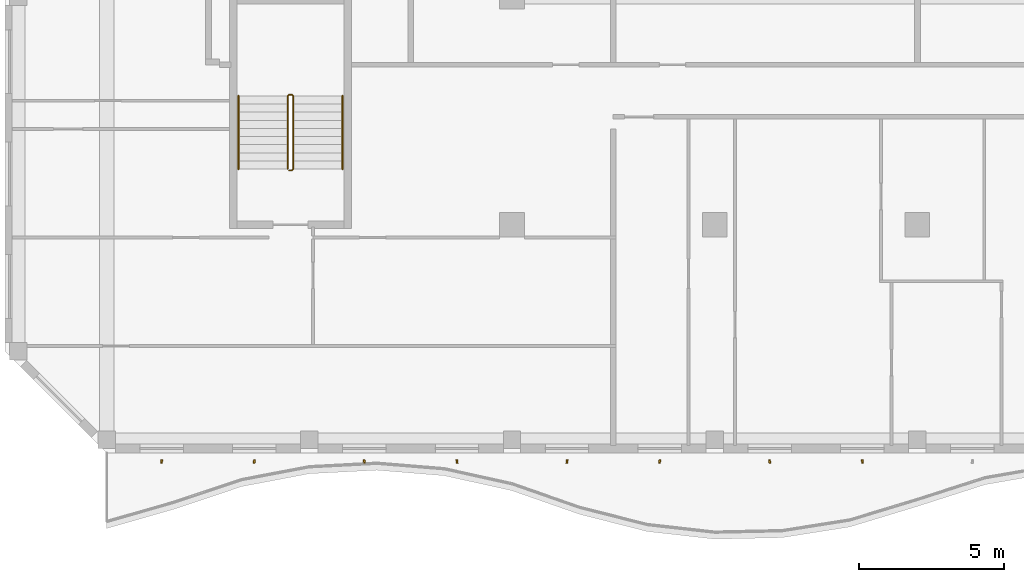
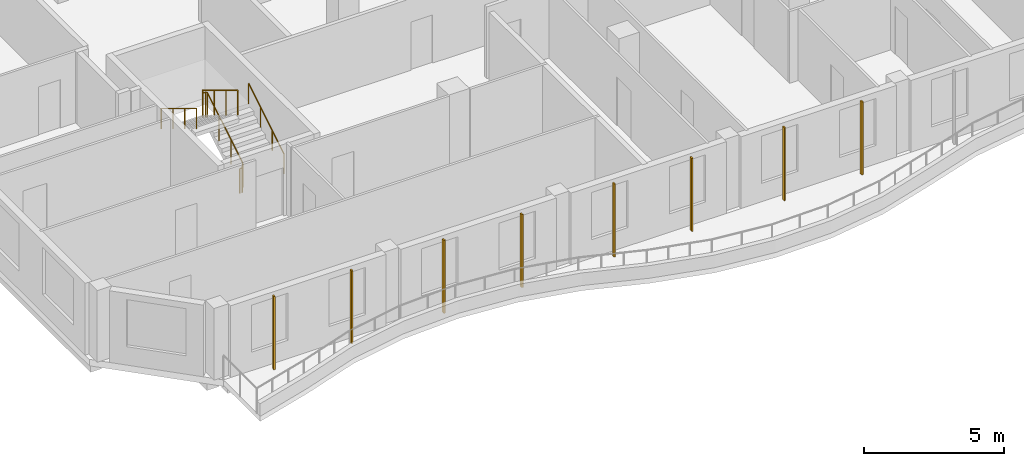
# One storey, part 11 of 17: 8 shading devices, 3 railings.
"""IFC4 building model written with IfcOpenShell, lengths in metres."""

from ifc_helpers import new_model, si_unit, direction, frame, origin, origin_2d, place, context, subcontext, project, spatial, rectangle, circle, extrude, source, transform, mapped, material, material_profile, profile_set, type_object, element, save


model = new_model("IFC4")

# Units and contexts
model_context = context("Model", 3, precision=1e-05, world=origin(), true_north=direction((0.0, 1.0)))
body_context = subcontext(model_context, "Body", "Model", "MODEL_VIEW")
ifc_project = project(units=[si_unit("LENGTHUNIT", "METRE"), si_unit("AREAUNIT", "SQUARE_METRE"), si_unit("VOLUMEUNIT", "CUBIC_METRE"), si_unit("PLANEANGLEUNIT", "RADIAN"), si_unit("MASSUNIT", "GRAM", prefix="KILO")], contexts=[model_context])

# Site, building, storey
site_placement = place(None, origin())
site = spatial("IfcSite", under=ifc_project, at=site_placement, CompositionType="ELEMENT")
building_placement = place(site_placement, origin())
building = spatial("IfcBuilding", under=site, at=building_placement, Name="Kilnfold Tower and Market Hall", CompositionType="ELEMENT")
storey_placement = place(building_placement, frame((0.0, 0.0, 305.199951171875)))
storey = spatial("IfcBuildingStorey", under=building, at=storey_placement, Name="L76", CompositionType="ELEMENT", Elevation=305.199951171875)

# Railings
ifc_material_1 = material(Name="Stainless steel 316", Category="steel")
railing_type_1 = type_object("IfcRailingType", Name="CORE STAIR GUARD 1100", PredefinedType="GUARDRAIL", material=ifc_material_1)
railing_1_placement = place(storey_placement, frame((-15.699951171875, -13.75, 0.0)))
element("IfcRailing", 1, at=railing_1_placement, inside=storey, type_object=railing_type_1, Name="L76 ST3 stair guard 1", PredefinedType="GUARDRAIL", context=body_context, shape_type="SweptSolid", body=[
    extrude(circle(Radius=0.02392578125, at=origin_2d()), frame((0.0, 0.0, 1.076171875), z_axis=(1.0, 0.0, 0.0), x_axis=(0.0, 1.0, 0.0)), (0.0, 0.0, 1.0), 0.099853515625),
    extrude(circle(Radius=0.02392578125, at=origin_2d()), frame((0.099853515625, 0.0, 1.076171875), z_axis=(0.271562723297, 0.271562723297, 0.923313259209), x_axis=(-0.707106781187, 0.707106781187, 0.0)), (0.0, 0.0, 1.0), 0.184326171875),
    extrude(circle(Radius=0.02392578125, at=origin_2d()), frame((0.14990234375, 0.050048828125, 1.24609375), z_axis=(0.0, 0.854821627497, 0.518921945155), x_axis=(-1.0, 0.0, 0.0)), (0.0, 0.0, 1.0), 2.947998046875),
    extrude(circle(Radius=0.02392578125, at=origin_2d()), frame((0.14990234375, 2.570068359375, 2.77587890625), z_axis=(-0.707106781187, 0.707106781187, 0.0), x_axis=(-0.707106781187, -0.707106781187, 0.0)), (0.0, 0.0, 1.0), 0.07080078125),
    extrude(circle(Radius=0.02392578125, at=origin_2d()), frame((0.099853515625, 2.6201171875, 2.77587890625), z_axis=(-1.0, 0.0, 0.0), x_axis=(0.0, -1.0, 0.0)), (0.0, 0.0, 1.0), 0.099853515625),
    extrude(circle(Radius=0.02392578125, at=origin_2d()), frame((0.0, 2.6201171875, 2.77587890625), z_axis=(-0.271562723297, -0.271562723297, 0.923313259209), x_axis=(0.707106781187, -0.707106781187, 0.0)), (0.0, 0.0, 1.0), 0.184326171875),
    extrude(circle(Radius=0.02392578125, at=origin_2d()), frame((-0.050048828125, 2.570068359375, 2.9462890625), z_axis=(0.0, -0.85478489116, 0.518982456201), x_axis=(1.0, 0.0, 0.0)), (0.0, 0.0, 1.0), 2.9482421875),
    extrude(circle(Radius=0.02099609375, at=origin_2d()), origin(), (0.0, 0.0, 1.0), 1.052001953125),
    extrude(circle(Radius=0.02099609375, at=origin_2d()), frame((0.099853515625, 0.0, 0.0)), (0.0, 0.0, 1.0), 1.052001953125),
    extrude(circle(Radius=0.02099609375, at=origin_2d()), frame((0.14990234375, 0.050048828125, 0.170166015625)), (0.0, 0.0, 1.0), 1.052001953125),
    extrude(circle(Radius=0.02099609375, at=origin_2d()), frame((0.14990234375, 0.89013671875, 0.68017578125)), (0.0, 0.0, 1.0), 1.052001953125),
    extrude(circle(Radius=0.02099609375, at=origin_2d()), frame((0.14990234375, 1.72998046875, 1.18994140625)), (0.0, 0.0, 1.0), 1.052001953125),
    extrude(circle(Radius=0.02099609375, at=origin_2d()), frame((0.14990234375, 2.570068359375, 1.699951171875)), (0.0, 0.0, 1.0), 1.052001953125),
    extrude(circle(Radius=0.02099609375, at=origin_2d()), frame((0.099853515625, 2.6201171875, 1.699951171875)), (0.0, 0.0, 1.0), 1.052001953125),
    extrude(circle(Radius=0.02099609375, at=origin_2d()), frame((0.0, 2.6201171875, 1.699951171875)), (0.0, 0.0, 1.0), 1.052001953125),
    extrude(circle(Radius=0.02099609375, at=origin_2d()), frame((-0.050048828125, 2.570068359375, 1.8701171875)), (0.0, 0.0, 1.0), 1.052001953125),
    extrude(circle(Radius=0.02099609375, at=origin_2d()), frame((-0.050048828125, 1.72998046875, 2.380126953125)), (0.0, 0.0, 1.0), 1.052001953125),
    extrude(circle(Radius=0.02099609375, at=origin_2d()), frame((-0.050048828125, 0.89013671875, 2.89013671875)), (0.0, 0.0, 1.0), 1.052001953125),
    extrude(circle(Radius=0.02099609375, at=origin_2d()), frame((-0.050048828125, 0.050048828125, 3.400146484375)), (0.0, 0.0, 1.0), 1.052001953125),
])
ifc_material_2 = material(Name="Stainless steel 316", Category="steel")
railing_type_2 = type_object("IfcRailingType", Name="CORE STAIR HANDRAIL 900", PredefinedType="HANDRAIL", material=ifc_material_2)
railing_2_placement = place(storey_placement, frame((-13.85009765625, -13.699951171875, 0.170166015625)))
element("IfcRailing", 2, at=railing_2_placement, inside=storey, type_object=railing_type_2, Name="L76 ST3 stair handrail 1", PredefinedType="HANDRAIL", context=body_context, shape_type="SweptSolid", body=[
    extrude(circle(Radius=0.02392578125, at=origin_2d()), frame((0.0, 0.0, 0.8759765625), z_axis=(0.0, 0.854821627497, 0.518921945155), x_axis=(-1.0, 0.0, 0.0)), (0.0, 0.0, 1.0), 2.947998046875),
    extrude(circle(Radius=0.02099609375, at=origin_2d()), origin(), (0.0, 0.0, 1.0), 0.851806640625),
    extrude(circle(Radius=0.02099609375, at=origin_2d()), frame((0.0, 0.840087890625, 0.510009765625)), (0.0, 0.0, 1.0), 0.851806640625),
    extrude(circle(Radius=0.02099609375, at=origin_2d()), frame((0.0, 1.679931640625, 1.019775390625)), (0.0, 0.0, 1.0), 0.851806640625),
    extrude(circle(Radius=0.02099609375, at=origin_2d()), frame((0.0, 2.52001953125, 1.52978515625)), (0.0, 0.0, 1.0), 0.851806640625),
])
railing_3_placement = place(storey_placement, frame((-17.449951171875, -11.179931640625, 1.8701171875)))
element("IfcRailing", 3, at=railing_3_placement, inside=storey, type_object=railing_type_2, Name="L76 ST3 stair handrail 2", PredefinedType="HANDRAIL", context=body_context, shape_type="SweptSolid", body=[
    extrude(circle(Radius=0.02392578125, at=origin_2d()), frame((0.0, 0.0, 0.8759765625), z_axis=(0.0, -0.85478489116, 0.518982456201), x_axis=(1.0, 0.0, 0.0)), (0.0, 0.0, 1.0), 2.9482421875),
    extrude(circle(Radius=0.02099609375, at=origin_2d()), origin(), (0.0, 0.0, 1.0), 0.851806640625),
    extrude(circle(Radius=0.02099609375, at=origin_2d()), frame((0.0, -0.840087890625, 0.510009765625)), (0.0, 0.0, 1.0), 0.851806640625),
    extrude(circle(Radius=0.02099609375, at=origin_2d()), frame((0.0, -1.679931640625, 1.02001953125)), (0.0, 0.0, 1.0), 0.851806640625),
    extrude(circle(Radius=0.02099609375, at=origin_2d()), frame((0.0, -2.52001953125, 1.530029296875)), (0.0, 0.0, 1.0), 0.851806640625),
])

# Shading devices
ifc_material_3 = material(Name="Terracotta", Category="masonry")
ifc_material_profile = material_profile(ifc_material_3, rectangle(XDim=0.06005859375, YDim=0.1201171875, at=origin_2d()), Name="BAG 60x120")
ifc_profile_set = profile_set([ifc_material_profile], Name="Terracotta")
shading_device_type = type_object("IfcShadingDeviceType", Name="BAGUETTE", PredefinedType="USERDEFINED", material=ifc_profile_set)
shared_shape = source(origin(), body_context, "Body", "SweptSolid", [
    extrude(rectangle(XDim=0.06005859375, YDim=0.1201171875, at=origin_2d()), origin(), (0.0, 0.0, 1.0), 3.179931640625),
])
for number, where, z_axis, x_axis, name in (
    (4, (-20.10009765625, -23.800048828125, 0.0), (0.0, 0.0, 1.0), (0.994842009699, -0.101436560166, 0.0), "Terracotta baguette L76 S"),
    (5, (-16.89990234375, -23.800048828125, 0.0), (0.0, 0.0, 1.0), (0.994115662564, -0.10832381753, 0.0), "Terracotta baguette L76 S"),
    (6, (-13.10009765625, -23.800048828125, 0.0), (0.0, 0.0, 1.0), (0.994842009699, 0.101436560166, 0.0), "Terracotta baguette L76 S"),
    (7, (-9.89990234375, -23.800048828125, 0.0), (0.0, 0.0, 1.0), (0.994115662564, 0.10832381753, 0.0), "Terracotta baguette L76 S"),
    (8, (-6.10009765625, -23.800048828125, 0.0), (0.0, 0.0, 1.0), (0.994842009699, -0.101436560166, 0.0), "Terracotta baguette L76 S"),
    (9, (-2.89990234375, -23.800048828125, 0.0), (0.0, 0.0, 1.0), (0.994115662564, -0.10832381753, 0.0), "Terracotta baguette L76 S"),
    (10, (0.89990234375, -23.800048828125, 0.0), (0.0, 0.0, 1.0), (0.994842009699, 0.101436560166, 0.0), "Terracotta baguette L76 S"),
    (11, (4.10009765625, -23.800048828125, 0.0), (0.0, 0.0, 1.0), (0.994115662564, 0.10832381753, 0.0), "Terracotta baguette L76 S"),
):
    element("IfcShadingDevice", number, at=place(storey_placement, frame(where, z_axis=z_axis, x_axis=x_axis)), inside=storey, type_object=shading_device_type, Name=name, ObjectType="BAGUETTE", PredefinedType="USERDEFINED", context=body_context, shape_type="MappedRepresentation", body=[
        mapped(shared_shape, transform((0.0, 0.0, 0.0))),
    ])

save(model, "model.ifc")
